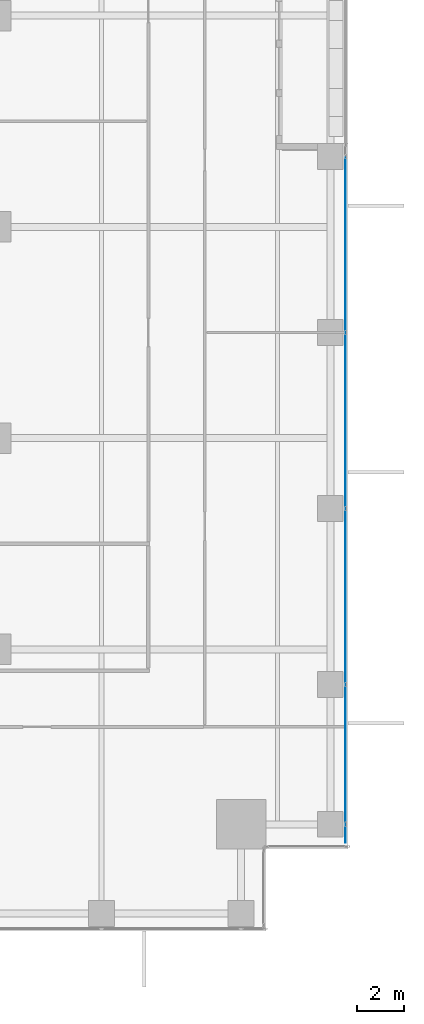
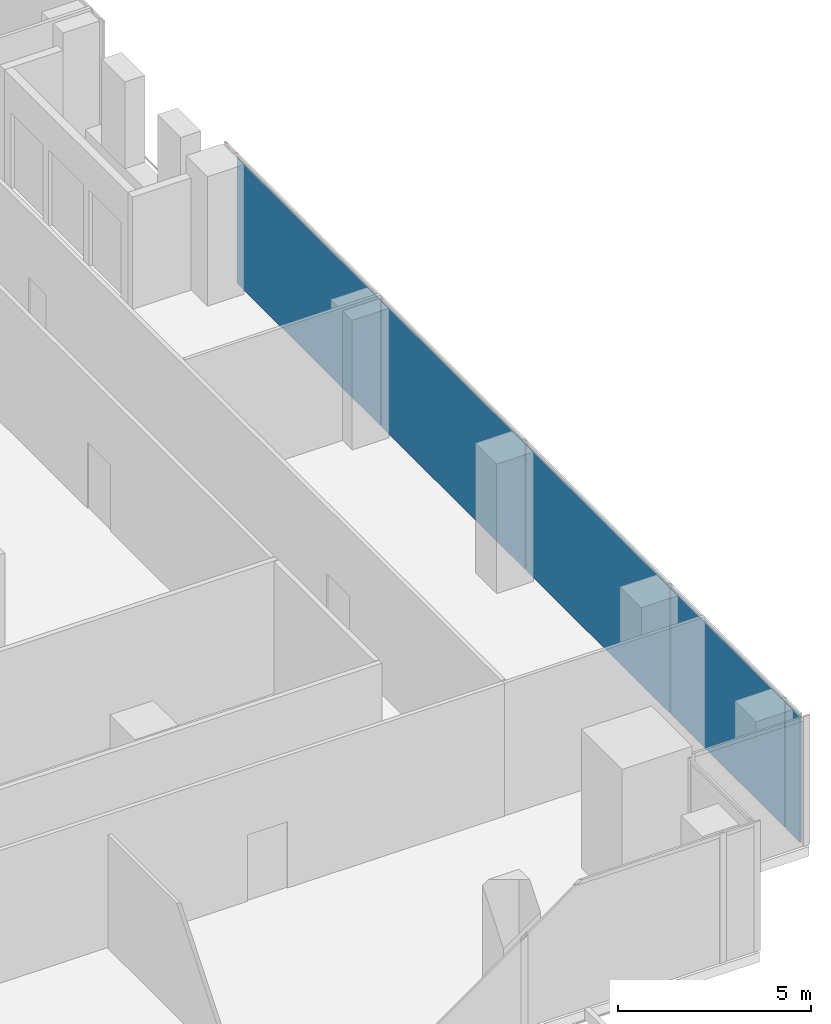
# One storey, part 26 of 35: 5 plates, 1 element without a shape of its own.
"""IFC4 building model written with IfcOpenShell, lengths in metres."""

from ifc_helpers import new_model, si_unit, direction, frame, origin, origin_2d, place, context, subcontext, project, spatial, rectangle, extrude, source, transform, mapped, material, layer, layer_set, type_object, element, aggregate, save


model = new_model("IFC4")

# Units and contexts
model_context = context("Model", 3, precision=1e-05, world=origin(), true_north=direction((0.0, 1.0)))
body_context = subcontext(model_context, "Body", "Model", "MODEL_VIEW")
ifc_project = project(units=[si_unit("LENGTHUNIT", "METRE"), si_unit("AREAUNIT", "SQUARE_METRE"), si_unit("VOLUMEUNIT", "CUBIC_METRE"), si_unit("PLANEANGLEUNIT", "RADIAN"), si_unit("MASSUNIT", "GRAM", prefix="KILO")], contexts=[model_context])

# Site, building, storey
site_placement = place(None, origin())
site = spatial("IfcSite", under=ifc_project, at=site_placement, CompositionType="ELEMENT")
building_placement = place(site_placement, origin())
building = spatial("IfcBuilding", under=site, at=building_placement, Name="Khomas Fold Tower", CompositionType="ELEMENT")
storey_placement = place(building_placement, frame((0.0, 0.0, 132.300048828125)))
storey = spatial("IfcBuildingStorey", under=building, at=storey_placement, Name="L28", CompositionType="ELEMENT", Elevation=132.300048828125)

# Curtain wall, plates
ifc_material_1 = material(Name="Aluminium framed double glazing", Category="aluminium")
curtain_wall_type = type_object("IfcCurtainWallType", Name="SK-Unitised clear-glass wall, growing floors CW1", PredefinedType="NOTDEFINED", material=ifc_material_1)
curtain_wall_placement = place(storey_placement, origin())
curtain_wall = element("IfcCurtainWall", 1, at=curtain_wall_placement, inside=storey, type_object=curtain_wall_type, Name="CW1 run L28 03-0", PredefinedType="NOTDEFINED")
ifc_material_2 = material(Name="Clear double glazed unit")
ifc_layer = layer(ifc_material_2, 0.031982421875)
ifc_layer_set = layer_set([ifc_layer], Name="Clear double glazed unit")
plate_type = type_object("IfcPlateType", Name="SK-Unitised clear-glass wall, growing floors glass panel CW1-P", PredefinedType="CURTAIN_PANEL", material=ifc_layer_set)
shared_shape_1 = source(origin(), body_context, "Body", "SweptSolid", [
    extrude(rectangle(XDim=0.760009765625, YDim=0.031982421875, at=origin_2d()), origin(), (0.0, 0.0, 1.0), 3.97998046875),
])
plate_1_placement = place(storey_placement, frame((52.39990234375, 5.639892578125, 0.0), z_axis=(0.0, 0.0, 1.0), x_axis=(0.0, 1.0, 0.0)))
plate_1 = element("IfcPlate", 2, at=plate_1_placement, type_object=plate_type, Name="CW1 glass panel 1", PredefinedType="CURTAIN_PANEL", context=body_context, shape_type="MappedRepresentation", body=[
    mapped(shared_shape_1, transform((0.0, 0.0, 0.0))),
])
shared_shape_2 = source(origin(), body_context, "Body", "SweptSolid", [
    extrude(rectangle(XDim=5.889892578125, YDim=0.031982421875, at=origin_2d()), origin(), (0.0, 0.0, 1.0), 3.97998046875),
])
plate_2_placement = place(storey_placement, frame((52.39990234375, 9.02490234375, 0.0), z_axis=(0.0, 0.0, 1.0), x_axis=(0.0, 1.0, 0.0)))
plate_2 = element("IfcPlate", 3, at=plate_2_placement, type_object=plate_type, Name="CW1 glass panel 2", PredefinedType="CURTAIN_PANEL", context=body_context, shape_type="MappedRepresentation", body=[
    mapped(shared_shape_2, transform((0.0, 0.0, 0.0))),
])
shared_shape_3 = source(origin(), body_context, "Body", "SweptSolid", [
    extrude(rectangle(XDim=7.43994140625, YDim=0.031982421875, at=origin_2d()), origin(), (0.0, 0.0, 1.0), 3.97998046875),
])
plate_3_placement = place(storey_placement, frame((52.39990234375, 15.75, 0.0), z_axis=(0.0, 0.0, 1.0), x_axis=(0.0, 1.0, 0.0)))
plate_3 = element("IfcPlate", 4, at=plate_3_placement, type_object=plate_type, Name="CW1 glass panel 3", PredefinedType="CURTAIN_PANEL", context=body_context, shape_type="MappedRepresentation", body=[
    mapped(shared_shape_3, transform((0.0, 0.0, 0.0))),
])
plate_4_placement = place(storey_placement, frame((52.39990234375, 23.25, 0.0), z_axis=(0.0, 0.0, 1.0), x_axis=(0.0, 1.0, 0.0)))
plate_4 = element("IfcPlate", 5, at=plate_4_placement, type_object=plate_type, Name="CW1 glass panel 4", PredefinedType="CURTAIN_PANEL", context=body_context, shape_type="MappedRepresentation", body=[
    mapped(shared_shape_3, transform((0.0, 0.0, 0.0))),
])
plate_5_placement = place(storey_placement, frame((52.39990234375, 30.75, 0.0), z_axis=(0.0, 0.0, 1.0), x_axis=(0.0, 1.0, 0.0)))
plate_5 = element("IfcPlate", 6, at=plate_5_placement, type_object=plate_type, Name="CW1 glass panel 5", PredefinedType="CURTAIN_PANEL", context=body_context, shape_type="MappedRepresentation", body=[
    mapped(shared_shape_3, transform((0.0, 0.0, 0.0))),
])
aggregate(curtain_wall, [plate_1, plate_2, plate_3, plate_4, plate_5])

save(model, "model.ifc")
